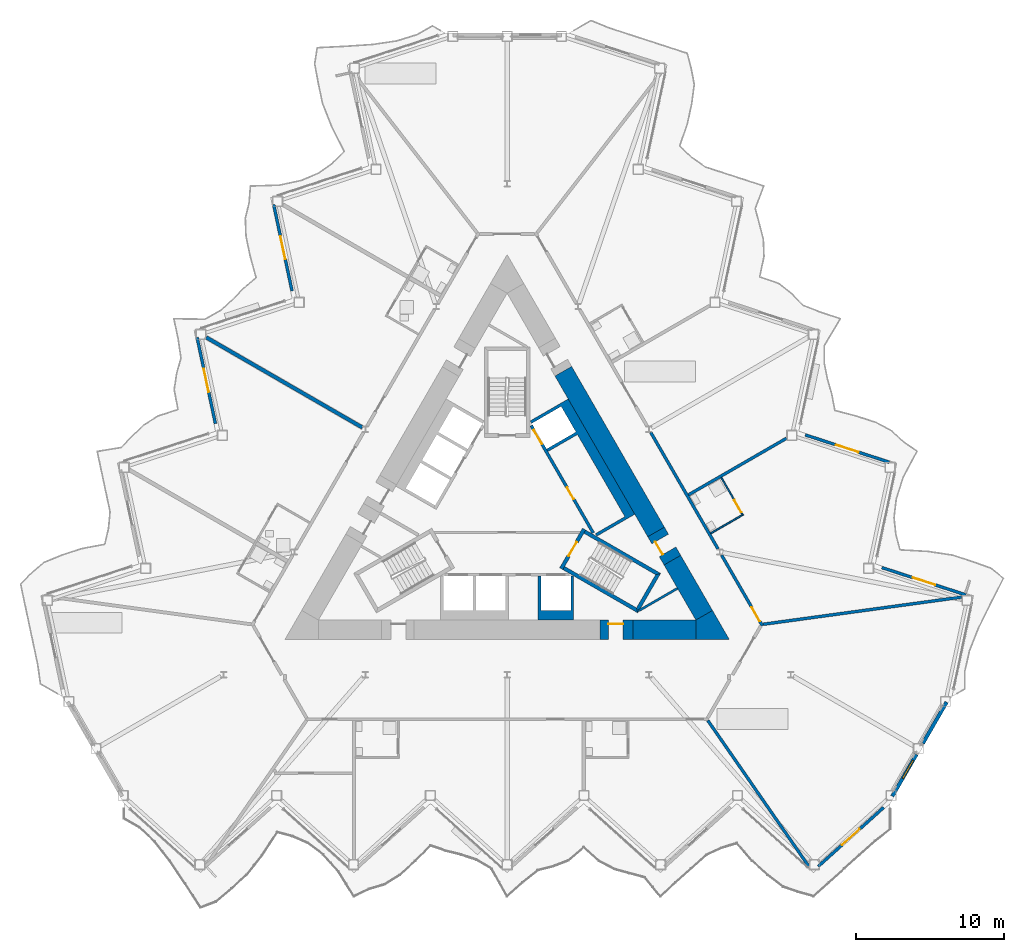
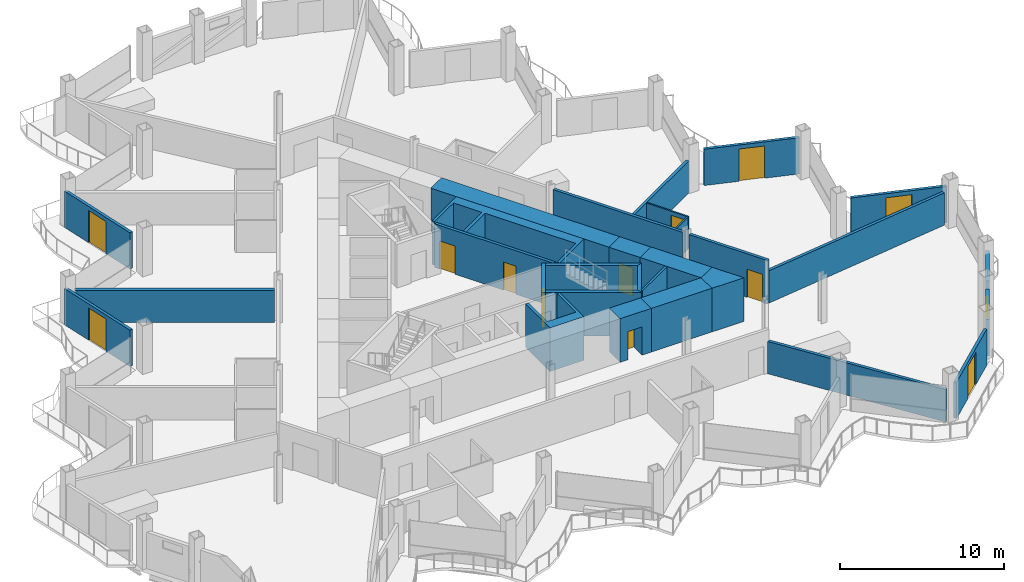
# One storey, part 13 of 23: 29 walls, 12 doors, 1 window, 13 openings.
"""IFC4 building model written with IfcOpenShell, lengths in metres."""

import ifcopenshell
import ifcopenshell.guid

model = None  # the IFC model being written
_history = None  # IfcOwnerHistory: only IFC2X3 demands one
_inside = {}  # id of a spatial element -> (the spatial element, [elements in it])
_under = {}  # id of a project, library or spatial element -> (it, [spatial elements below it])
_declared = {}  # id of a project -> (the project, [libraries it declares])
_typed = {}  # id of a type object -> (the type object, [elements of that type])
_made_of = {}  # id of a material, layer set ... -> (it, [elements and type objects made of it])


def new_model(schema):
    """Start an empty IFC model of exactly this schema.

    Asked for "IFC4X3", IfcOpenShell would pick the latest addendum, in which some entities
    have other attributes; the version numbers below select the first issue.
    IFC2X3 requires an IfcOwnerHistory on every rooted entity: one is made here for all.
    """
    global model, _history
    if schema == "IFC4X3":
        model = ifcopenshell.file(schema_version=(4, 3, 0, 0))
    else:
        model = ifcopenshell.file(schema=schema)
    _inside.clear()
    _under.clear()
    _declared.clear()
    _typed.clear()
    _made_of.clear()
    _history = None
    if model.schema == "IFC2X3":
        org = make("IfcOrganization", Name="unknown")
        user = make(
            "IfcPersonAndOrganization",
            ThePerson=make("IfcPerson", FamilyName="unknown"),
            TheOrganization=org,
        )
        app = make(
            "IfcApplication",
            ApplicationDeveloper=org,
            Version="unknown",
            ApplicationFullName="unknown",
            ApplicationIdentifier="unknown",
        )
        _history = make(
            "IfcOwnerHistory",
            OwningUser=user,
            OwningApplication=app,
            ChangeAction="ADDED",
            CreationDate=0,
        )
    return model


def make(cls, **values):
    """One entity of the class cls with the attributes given. An attribute that is None is left unset."""
    return model.create_entity(
        cls, **{name: value for name, value in values.items() if value is not None}
    )


def rooted(cls, **values):
    """An entity with a GlobalId (a new one), such as an element, a storey or a relation."""
    return make(cls, GlobalId=ifcopenshell.guid.new(), OwnerHistory=_history, **values)


def si_unit(unit_type, name, prefix=None):
    """IfcSIUnit, for example si_unit("LENGTHUNIT", "METRE", prefix="MILLI")."""
    return make("IfcSIUnit", UnitType=unit_type, Prefix=prefix, Name=name)


def assignment(units):
    """IfcUnitAssignment: the units of a project."""
    return None if units is None else make("IfcUnitAssignment", Units=units)


def point(xyz):
    """IfcCartesianPoint."""
    return None if xyz is None else make("IfcCartesianPoint", Coordinates=xyz)


def direction(xyz):
    """IfcDirection."""
    return None if xyz is None else make("IfcDirection", DirectionRatios=xyz)


def frame(location, z_axis=None, x_axis=None):
    """IfcAxis2Placement3D, a coordinate frame: its origin and axes. An axis left out is left unset."""
    return make(
        "IfcAxis2Placement3D",
        Location=point(location),
        Axis=direction(z_axis),
        RefDirection=direction(x_axis),
    )


def frame_2d(location, x_axis=None):
    """IfcAxis2Placement2D, a coordinate frame in the plane: its origin and x axis."""
    return make(
        "IfcAxis2Placement2D", Location=point(location), RefDirection=direction(x_axis)
    )


def origin():
    """The frame at (0, 0, 0) with its axes left unset."""
    return frame((0.0, 0.0, 0.0))


def place(relative_to, where):
    """IfcLocalPlacement: puts the frame where relative to a parent placement (None: the world)."""
    return make(
        "IfcLocalPlacement", PlacementRelTo=relative_to, RelativePlacement=where
    )


def context(
    kind, dimensions, precision=None, world=None, true_north=None, identifier=None
):
    """IfcGeometricRepresentationContext, for example the 3D "Model" context."""
    return make(
        "IfcGeometricRepresentationContext",
        ContextIdentifier=identifier,
        ContextType=kind,
        CoordinateSpaceDimension=dimensions,
        Precision=precision,
        WorldCoordinateSystem=world,
        TrueNorth=true_north,
    )


def subcontext(parent, identifier, kind, view, scale=None):
    """IfcGeometricRepresentationSubContext, for example "Body" below "Model"."""
    return make(
        "IfcGeometricRepresentationSubContext",
        ContextIdentifier=identifier,
        ContextType=kind,
        ParentContext=parent,
        TargetScale=scale,
        TargetView=view,
    )


def project(units=None, contexts=None):
    """IfcProject with its units and contexts."""
    return rooted(
        "IfcProject",
        Name="project",
        RepresentationContexts=contexts,
        UnitsInContext=assignment(units),
    )


def spatial(cls, under=None, at=None, **own):
    """A site, building, storey or space (cls), placed at a placement, below another one or the project."""
    s = rooted(cls, ObjectPlacement=at, **own)
    if under is not None:
        _under.setdefault(under.id(), (under, []))[1].append(s)
    return s


def polyline(points):
    """IfcPolyline through the points."""
    return make("IfcPolyline", Points=[point(p) for p in points])


def profile(cls, at=None, kind="AREA", **sizes):
    """A parametric profile (cls). Its sizes go by their IFC names, for example OverallWidth=200.0."""
    return make(cls, ProfileType=kind, Position=at, **sizes)


def rectangle(**sizes):
    """IfcRectangleProfileDef."""
    return profile("IfcRectangleProfileDef", **sizes)


def outline(outer, holes=None, kind="AREA"):
    """IfcArbitraryClosedProfileDef: a profile drawn as a closed curve; with holes, ...WithVoids."""
    if holes is None:
        return make("IfcArbitraryClosedProfileDef", ProfileType=kind, OuterCurve=outer)
    return make(
        "IfcArbitraryProfileDefWithVoids",
        ProfileType=kind,
        OuterCurve=outer,
        InnerCurves=holes,
    )


def extrude(swept, where, along, depth):
    """IfcExtrudedAreaSolid: the profile swept, set in the frame where, extruded along a direction by depth."""
    return make(
        "IfcExtrudedAreaSolid",
        SweptArea=swept,
        Position=where,
        ExtrudedDirection=direction(along),
        Depth=depth,
    )


def shape(context_of_items, identifier, shape_type, items):
    """IfcShapeRepresentation: the items that make up one representation, for example the "Body"."""
    return make(
        "IfcShapeRepresentation",
        ContextOfItems=context_of_items,
        RepresentationIdentifier=identifier,
        RepresentationType=shape_type,
        Items=items,
    )


def material(Name=None, Category=None):
    """IfcMaterial."""
    return make("IfcMaterial", Name=Name, Category=Category)


def layer(
    of_material, thickness, ventilated=None, Name=None, Category=None, Priority=None
):
    """IfcMaterialLayer: one layer of a wall or slab, of a material (None: an air gap)."""
    return make(
        "IfcMaterialLayer",
        Material=of_material,
        LayerThickness=thickness,
        IsVentilated=ventilated,
        Name=Name,
        Category=Category,
        Priority=Priority,
    )


def layer_set(layers, Name=None):
    """IfcMaterialLayerSet."""
    return make("IfcMaterialLayerSet", MaterialLayers=layers, LayerSetName=Name)


def made_of(thing, what):
    """Note that an element or type object is made of a material, layer set ...; save() writes the relation."""
    if what is not None:
        _made_of.setdefault(what.id(), (what, []))[1].append(thing)
    return thing


def type_object(cls, material=None, **own):
    """A type object (cls), such as IfcWallType, which elements share."""
    return made_of(rooted(cls, **own), material)


def element(
    cls,
    number,
    at=None,
    inside=None,
    cuts=None,
    type_object=None,
    material=None,
    context=None,
    identifier="Body",
    shape_type=None,
    held_by="IfcProductDefinitionShape",
    body=None,
    shapes=None,
    **own,
):
    """One element of the class cls, such as IfcWall. Its Tag is "e" and its number.

    at: its placement. inside: the storey or other place that contains it. cuts: it is an
    opening in that element (IfcRelVoidsElement). A single representation is given by context,
    identifier, shape_type and body (its items); several are given by shapes. held_by: the class
    of the entity that holds the representations. save() writes the other relations.
    """
    e = rooted(cls, Tag="e%d" % number, ObjectPlacement=at, **own)
    if body is not None:
        shapes = [shape(context, identifier, shape_type, body)]
    if shapes is not None:
        e.Representation = make(held_by, Representations=shapes)
    if inside is not None:
        _inside.setdefault(inside.id(), (inside, []))[1].append(e)
    if cuts is not None:
        rooted(
            "IfcRelVoidsElement", RelatingBuildingElement=cuts, RelatedOpeningElement=e
        )
    if type_object is not None:
        _typed.setdefault(type_object.id(), (type_object, []))[1].append(e)
    return made_of(e, material)


def fill(opening, filler):
    """IfcRelFillsElement: the door or window that sits in an opening."""
    return rooted(
        "IfcRelFillsElement",
        RelatingOpeningElement=opening,
        RelatedBuildingElement=filler,
    )


def aggregate(whole, parts):
    """IfcRelAggregates: a whole, such as a stair, and the parts it consists of."""
    return rooted("IfcRelAggregates", RelatingObject=whole, RelatedObjects=parts)


def save(model, path):
    """Write the relations noted so far, then the file.

    IfcRelAggregates (storeys below a building ...), IfcRelContainedInSpatialStructure (elements
    in a storey), IfcRelDefinesByType, IfcRelAssociatesMaterial and IfcRelDeclares: one each for
    every whole, place, type object, material and project.
    """
    for whole, parts in _under.values():
        aggregate(whole, parts)
    for where, things in _inside.values():
        rooted(
            "IfcRelContainedInSpatialStructure",
            RelatedElements=things,
            RelatingStructure=where,
        )
    for kind, things in _typed.values():
        rooted("IfcRelDefinesByType", RelatedObjects=things, RelatingType=kind)
    for what, things in _made_of.values():
        rooted("IfcRelAssociatesMaterial", RelatedObjects=things, RelatingMaterial=what)
    for by, libraries in _declared.values():
        rooted("IfcRelDeclares", RelatingContext=by, RelatedDefinitions=libraries)
    model.write(path)


model = new_model("IFC4")

# Units and contexts
model_context = context("Model", 3, precision=1e-05, world=origin(), true_north=direction((0.0, 1.0)))
body_context = subcontext(model_context, "Body", "Model", "MODEL_VIEW")
ifc_project = project(units=[si_unit("LENGTHUNIT", "METRE"), si_unit("AREAUNIT", "SQUARE_METRE"), si_unit("VOLUMEUNIT", "CUBIC_METRE"), si_unit("PLANEANGLEUNIT", "RADIAN"), si_unit("MASSUNIT", "GRAM", prefix="KILO")], contexts=[model_context])

# Site, building, storey
site_placement = place(None, origin())
site = spatial("IfcSite", under=ifc_project, at=site_placement, CompositionType="ELEMENT")
building_placement = place(site_placement, origin())
building = spatial("IfcBuilding", under=site, at=building_placement, Name="Cormorant Prow Tower", CompositionType="ELEMENT")
storey_placement = place(building_placement, frame((0.0, 0.0, 241.800048828125)))
storey = spatial("IfcBuildingStorey", under=building, at=storey_placement, Name="L53", CompositionType="ELEMENT", Elevation=241.800048828125)

# Walls
ifc_material_1 = material(Name="Gypsum board partition")
ifc_layer_1 = layer(ifc_material_1, 0.14990234375)
ifc_layer_set_1 = layer_set([ifc_layer_1], Name="Gypsum board partition")
wall_type_1 = type_object("IfcWallType", Name="Core partition 150", PredefinedType="PARTITIONING", material=ifc_layer_set_1)
wall_1_placement = place(storey_placement, frame((11.511474609375, -5.2177734375, 0.0), z_axis=(0.0, 0.0, 1.0), x_axis=(-0.866045649925, -0.499964931016, 0.0)))
element("IfcWall", 1, at=wall_1_placement, inside=storey, type_object=wall_type_1, Name="Service room partition", PredefinedType="PARTITIONING", context=body_context, shape_type="SweptSolid", body=[
    extrude(rectangle(XDim=2.992431640625, YDim=0.14990234375, at=frame_2d((1.49609375, 0.0))), origin(), (0.0, 0.0, 1.0), 3.25),
])
ifc_material_2 = material(Name="Concrete 8000 psi", Category="concrete")
ifc_layer_2 = layer(ifc_material_2, 1.300048828125)
ifc_layer_set_2 = layer_set([ifc_layer_2], Name="Concrete 8000 psi")
wall_type_2 = type_object("IfcWallType", Name="Core shear wall 1300", PredefinedType="SHEAR", material=ifc_layer_set_2)
wall_2_placement = place(storey_placement, frame((8.48828125, -8.01025390625, 0.0), z_axis=(0.0, 0.0, 1.0), x_axis=(1.0, 0.0, 0.0)))
element("IfcWall", 2, at=wall_2_placement, inside=storey, type_object=wall_type_2, Name="Core wall", PredefinedType="SHEAR", context=body_context, shape_type="SweptSolid", body=[
    extrude(rectangle(XDim=4.260009765625, YDim=1.300048828125, at=frame_2d((2.1298828125, 0.0))), origin(), (0.0, 0.0, 1.0), 3.25),
])
wall_3_placement = place(storey_placement, frame((10.0625, -1.408203125, 0.0), z_axis=(0.0, 0.0, 1.0), x_axis=(-0.500000545805, 0.866025088663, 0.0)))
element("IfcWall", 3, at=wall_3_placement, inside=storey, type_object=wall_type_2, Name="Core wall", PredefinedType="SHEAR", context=body_context, shape_type="SweptSolid", body=[
    extrude(rectangle(XDim=12.5390625, YDim=1.300048828125, at=frame_2d((6.26953125, 0.0))), origin(), (0.0, 0.0, 1.0), 3.25),
])
wall_4_placement = place(storey_placement, frame((13.311279296875, -7.035400390625, 0.0), z_axis=(0.0, 0.0, 1.0), x_axis=(-0.500012574659, 0.86601814368, 0.0)))
element("IfcWall", 4, at=wall_4_placement, inside=storey, type_object=wall_type_2, Name="Core wall", PredefinedType="SHEAR", context=body_context, shape_type="SweptSolid", body=[
    extrude(rectangle(XDim=4.2978515625, YDim=1.300048828125, at=frame_2d((2.14892578125, 0.0))), origin(), (0.0, 0.0, 1.0), 3.25),
])
wall_5_placement = place(storey_placement, origin())
element("IfcWall", 5, at=wall_5_placement, inside=storey, type_object=wall_type_2, Name="Core wall corner", PredefinedType="SHEAR", context=body_context, shape_type="SweptSolid", body=[
    extrude(outline(polyline([(12.748291015625, -8.660400390625), (12.748291015625, -7.3603515625), (13.874267578125, -6.710205078125), (15.0, -8.660400390625), (12.748291015625, -8.660400390625)])), origin(), (0.0, 0.0, 1.0), 3.25),
])

# Wall, opening, door
wall_6_placement = place(storey_placement, frame((6.2880859375, -8.01025390625, 0.0), z_axis=(0.0, 0.0, 1.0), x_axis=(1.0, 0.0, 0.0)))
wall_6 = element("IfcWall", 6, at=wall_6_placement, inside=storey, type_object=wall_type_2, Name="Core wall door panel", PredefinedType="SHEAR", context=body_context, shape_type="SweptSolid", body=[
    extrude(rectangle(XDim=2.2001953125, YDim=1.300048828125, at=frame_2d((1.10009765625, 0.0))), origin(), (0.0, 0.0, 1.0), 3.25),
])
opening_1_placement = place(wall_6_placement, frame((0.550048828125, 0.0, 0.0)))
opening_1 = element("IfcOpeningElement", 7, at=opening_1_placement, cuts=wall_6, Name="Opening L53-C13", PredefinedType="OPENING", context=body_context, shape_type="SweptSolid", body=[
    extrude(rectangle(XDim=1.0, YDim=2.10009765625, at=frame_2d((0.5, 1.050048828125))), frame((0.0, 0.659912109375, 0.0), z_axis=(0.0, -1.0, 0.0), x_axis=(1.0, 0.0, 0.0)), (0.0, 0.0, 1.0), 1.320068359375),
])
ifc_material_3 = material(Name="Painted steel", Category="steel")
door_type_1 = type_object("IfcDoorType", Name="Service door 1000x2100", OperationType="NOTDEFINED", PredefinedType="DOOR", material=ifc_material_3)
door_1_placement = place(opening_1_placement, origin())
door_1 = element("IfcDoor", 8, at=door_1_placement, inside=storey, type_object=door_type_1, Name="Core door, Telecom room", OperationType="SINGLE_SWING_RIGHT", OverallHeight=2.10009765625, OverallWidth=1.0, PredefinedType="DOOR", context=body_context, shape_type="SweptSolid", body=[
    extrude(rectangle(XDim=1.0, YDim=2.10009765625, at=frame_2d((0.5, 1.050048828125))), frame((0.0, 0.40478515625, 0.0), z_axis=(0.0, -1.0, 0.0), x_axis=(1.0, 0.0, 0.0)), (0.0, 0.0, 1.0), 0.050048828125),
])
fill(opening_1, door_1)

wall_7_placement = place(storey_placement, frame((11.16259765625, -3.3134765625, 0.0), z_axis=(0.0, 0.0, 1.0), x_axis=(-0.50002983664, 0.866008176907, 0.0)))
wall_7 = element("IfcWall", 9, at=wall_7_placement, inside=storey, type_object=wall_type_2, Name="Core wall door panel", PredefinedType="SHEAR", context=body_context, shape_type="SweptSolid", body=[
    extrude(rectangle(XDim=2.199951171875, YDim=1.300048828125, at=frame_2d((1.10009765625, 0.0))), origin(), (0.0, 0.0, 1.0), 3.25),
])
opening_2_placement = place(wall_7_placement, frame((0.64990234375, 0.0, 0.0)))
opening_2 = element("IfcOpeningElement", 10, at=opening_2_placement, cuts=wall_7, Name="Opening L53-C15", PredefinedType="OPENING", context=body_context, shape_type="SweptSolid", body=[
    extrude(rectangle(XDim=1.0, YDim=2.10009765625, at=frame_2d((0.5, 1.050048828125))), frame((0.0, 0.659912109375, 0.0), z_axis=(0.0, -1.0, 0.0), x_axis=(1.0, 0.0, 0.0)), (0.0, 0.0, 1.0), 1.320068359375),
])
door_2_placement = place(opening_2_placement, origin())
door_2 = element("IfcDoor", 11, at=door_2_placement, inside=storey, type_object=door_type_1, Name="Core door, Electrical room", OperationType="SINGLE_SWING_LEFT", OverallHeight=2.10009765625, OverallWidth=1.0, PredefinedType="DOOR", context=body_context, shape_type="SweptSolid", body=[
    extrude(rectangle(XDim=1.0, YDim=2.10009765625, at=frame_2d((0.5, 1.050048828125))), frame((0.0, 0.40478515625, 0.0), z_axis=(0.0, -1.0, 0.0), x_axis=(1.0, 0.0, 0.0)), (0.0, 0.0, 1.0), 0.050048828125),
])
fill(opening_2, door_2)

# Wall
ifc_material_4 = material(Name="Gypsum board corridor wall")
ifc_layer_3 = layer(ifc_material_4, 0.199951171875)
ifc_layer_set_3 = layer_set([ifc_layer_3], Name="Gypsum board corridor wall")
wall_type_3 = type_object("IfcWallType", Name="Corridor wall 200", PredefinedType="PARTITIONING", material=ifc_layer_set_3)
wall_8_placement = place(storey_placement, frame((9.699462890625, 5.320556640625, 0.0), z_axis=(0.0, 0.0, 1.0), x_axis=(0.49998193945, -0.866035830797, 0.0)))
element("IfcWall", 12, at=wall_8_placement, inside=storey, type_object=wall_type_3, Name="Corridor wall", PredefinedType="PARTITIONING", context=body_context, shape_type="SweptSolid", body=[
    extrude(rectangle(XDim=9.094482421875, YDim=0.199951171875, at=frame_2d((4.54736328125, 0.0))), origin(), (0.0, 0.0, 1.0), 3.25),
])

# Wall, opening, door
wall_9_placement = place(storey_placement, frame((14.488525390625, -2.974609375, 0.0), z_axis=(0.0, 0.0, 1.0), x_axis=(0.500017753321, -0.866015153657, 0.0)))
wall_9 = element("IfcWall", 13, at=wall_9_placement, inside=storey, type_object=wall_type_3, Name="Corridor wall", PredefinedType="PARTITIONING", context=body_context, shape_type="SweptSolid", body=[
    extrude(rectangle(XDim=5.510498046875, YDim=0.199951171875, at=frame_2d((2.75537109375, 0.0))), origin(), (0.0, 0.0, 1.0), 3.25),
])
opening_3_placement = place(wall_9_placement, frame((4.060302734375, 0.0, 0.0)))
opening_3 = element("IfcOpeningElement", 14, at=opening_3_placement, cuts=wall_9, Name="Opening L53-F08", PredefinedType="OPENING", context=body_context, shape_type="SweptSolid", body=[
    extrude(rectangle(XDim=1.10009765625, YDim=2.10009765625, at=frame_2d((0.550048828125, 1.050048828125))), frame((0.0, 0.10986328125, 0.0), z_axis=(0.0, -1.0, 0.0), x_axis=(1.0, 0.0, 0.0)), (0.0, 0.0, 1.0), 0.219970703125),
])
ifc_material_5 = material(Name="Timber door leaf", Category="wood")
door_type_2 = type_object("IfcDoorType", Name="Suite entrance door 1100x2100", OperationType="NOTDEFINED", PredefinedType="DOOR", material=ifc_material_5)
door_3_placement = place(opening_3_placement, origin())
door_3 = element("IfcDoor", 15, at=door_3_placement, inside=storey, type_object=door_type_2, Name="Executive suite bedroom door", OperationType="SINGLE_SWING_RIGHT", OverallHeight=2.10009765625, OverallWidth=1.10009765625, PredefinedType="DOOR", context=body_context, shape_type="SweptSolid", body=[
    extrude(rectangle(XDim=1.10009765625, YDim=2.10009765625, at=frame_2d((0.550048828125, 1.050048828125))), frame((0.0, 0.02490234375, 0.0), z_axis=(0.0, -1.0, 0.0), x_axis=(1.0, 0.0, 0.0)), (0.0, 0.0, 1.0), 0.050048828125),
])
fill(opening_3, door_3)

# Walls
ifc_material_6 = material(Name="Gypsum board demising wall")
ifc_layer_4 = layer(ifc_material_6, 0.199951171875)
ifc_layer_set_4 = layer_set([ifc_layer_4], Name="Gypsum board demising wall")
wall_type_4 = type_object("IfcWallType", Name="Demising wall 200", PredefinedType="PARTITIONING", material=ifc_layer_set_4)
wall_10_placement = place(storey_placement, frame((17.29296875, -7.646484375, 0.0), z_axis=(0.0, 0.0, 1.0), x_axis=(0.99075075074, 0.135694325259, 0.0)))
element("IfcWall", 16, at=wall_10_placement, inside=storey, type_object=wall_type_4, Name="Demising wall", PredefinedType="PARTITIONING", context=body_context, shape_type="SweptSolid", body=[
    extrude(rectangle(XDim=13.535400390625, YDim=0.199951171875, at=frame_2d((6.767578125, 0.0))), origin(), (0.0, 0.0, 1.0), 2.404052734375),
])
wall_11_placement = place(storey_placement, frame((13.5556640625, -14.142578125, 0.0), z_axis=(0.0, 0.0, 1.0), x_axis=(0.56913494803, -0.82224413098, 0.0)))
element("IfcWall", 17, at=wall_11_placement, inside=storey, type_object=wall_type_4, Name="Demising wall", PredefinedType="PARTITIONING", context=body_context, shape_type="SweptSolid", body=[
    extrude(rectangle(XDim=12.013671875, YDim=0.199951171875, at=frame_2d((6.0068359375, 0.0))), origin(), (0.0, 0.0, 1.0), 2.404052734375),
])
wall_12_placement = place(storey_placement, frame((12.2529296875, 1.097900390625, 0.0), z_axis=(0.0, 0.0, 1.0), x_axis=(0.866026077102, 0.499998833779, 0.0)))
element("IfcWall", 18, at=wall_12_placement, inside=storey, type_object=wall_type_4, Name="Demising wall", PredefinedType="PARTITIONING", context=body_context, shape_type="SweptSolid", body=[
    extrude(rectangle(XDim=7.646484375, YDim=0.199951171875, at=frame_2d((3.8232421875, 0.0))), origin(), (0.0, 0.0, 1.0), 2.404052734375),
])

# Wall, opening, door
ifc_material_7 = material(Name="Gypsum board partition")
ifc_layer_5 = layer(ifc_material_7, 0.10009765625)
ifc_layer_set_5 = layer_set([ifc_layer_5], Name="Gypsum board partition")
wall_type_5 = type_object("IfcWallType", Name="Internal partition 100", PredefinedType="PARTITIONING", material=ifc_layer_set_5)
wall_13_placement = place(storey_placement, frame((14.468017578125, 2.26123046875, 0.0), z_axis=(0.0, 0.0, 1.0), x_axis=(0.500037662692, -0.866003658127, 0.0)))
wall_13 = element("IfcWall", 19, at=wall_13_placement, inside=storey, type_object=wall_type_5, Name="Internal partition", PredefinedType="PARTITIONING", context=body_context, shape_type="SweptSolid", body=[
    extrude(rectangle(XDim=2.949951171875, YDim=0.10009765625, at=frame_2d((1.47509765625, 0.0))), origin(), (0.0, 0.0, 1.0), 2.404052734375),
])
opening_4_placement = place(wall_13_placement, frame((1.75, 0.0, 0.0)))
opening_4 = element("IfcOpeningElement", 20, at=opening_4_placement, cuts=wall_13, Name="Opening L53-F09", PredefinedType="OPENING", context=body_context, shape_type="SweptSolid", body=[
    extrude(rectangle(XDim=0.949951171875, YDim=2.10009765625, at=frame_2d((0.47509765625, 1.050048828125))), frame((0.0, 0.06005859375, 0.0), z_axis=(0.0, -1.0, 0.0), x_axis=(1.0, 0.0, 0.0)), (0.0, 0.0, 1.0), 0.1201171875),
])
ifc_material_8 = material(Name="Timber door leaf", Category="wood")
door_type_3 = type_object("IfcDoorType", Name="Bathroom door 950x2100", OperationType="NOTDEFINED", PredefinedType="DOOR", material=ifc_material_8)
door_4_placement = place(opening_4_placement, origin())
door_4 = element("IfcDoor", 21, at=door_4_placement, inside=storey, type_object=door_type_3, Name="Executive suite bedroom door", OperationType="SINGLE_SWING_RIGHT", OverallHeight=2.10009765625, OverallWidth=0.949951171875, PredefinedType="DOOR", context=body_context, shape_type="SweptSolid", body=[
    extrude(rectangle(XDim=0.949951171875, YDim=2.10009765625, at=frame_2d((0.47509765625, 1.050048828125))), frame((0.0, 0.02490234375, 0.0), z_axis=(0.0, -1.0, 0.0), x_axis=(1.0, 0.0, 0.0)), (0.0, 0.0, 1.0), 0.050048828125),
])
fill(opening_4, door_4)

# Wall
wall_14_placement = place(storey_placement, frame((13.7529296875, -1.500244140625, 0.0), z_axis=(0.0, 0.0, 1.0), x_axis=(0.866014668023, 0.500018594424, 0.0)))
element("IfcWall", 22, at=wall_14_placement, inside=storey, type_object=wall_type_5, Name="Internal partition", PredefinedType="PARTITIONING", context=body_context, shape_type="SweptSolid", body=[
    extrude(rectangle(XDim=2.4501953125, YDim=0.10009765625, at=frame_2d((1.22509765625, 0.0))), origin(), (0.0, 0.0, 1.0), 2.404052734375),
])

# Wall, openings, doors
ifc_material_9 = material(Name="Concrete 5000 psi", Category="concrete")
ifc_layer_6 = layer(ifc_material_9, 0.199951171875)
ifc_layer_set_6 = layer_set([ifc_layer_6], Name="Concrete 5000 psi")
wall_type_6 = type_object("IfcWallType", Name="Lift lobby wall 200", PredefinedType="SOLIDWALL", material=ifc_layer_set_6)
wall_15_placement = place(storey_placement, frame((5.817138671875, -1.4755859375, 0.0), z_axis=(0.0, 0.0, 1.0), x_axis=(-0.500002616675, 0.866023893041, 0.0)))
wall_15 = element("IfcWall", 23, at=wall_15_placement, inside=storey, type_object=wall_type_6, Name="Lift lobby wall, ENE block", PredefinedType="SOLIDWALL", context=body_context, shape_type="SweptSolid", body=[
    extrude(rectangle(XDim=8.373046875, YDim=0.199951171875, at=frame_2d((4.1865234375, 0.0))), origin(), (0.0, 0.0, 1.0), 3.25),
])
opening_5_placement = place(wall_15_placement, frame((2.63671875, 0.0, 0.0)))
opening_5 = element("IfcOpeningElement", 24, at=opening_5_placement, cuts=wall_15, Name="Opening L53-C05", PredefinedType="OPENING", context=body_context, shape_type="SweptSolid", body=[
    extrude(rectangle(XDim=0.89990234375, YDim=2.10009765625, at=frame_2d((0.449951171875, 1.050048828125))), frame((0.0, 0.10986328125, 0.0), z_axis=(0.0, -1.0, 0.0), x_axis=(1.0, 0.0, 0.0)), (0.0, 0.0, 1.0), 0.219970703125),
])
opening_6_placement = place(wall_15_placement, frame((6.9365234375, 0.0, 0.0)))
opening_6 = element("IfcOpeningElement", 25, at=opening_6_placement, cuts=wall_15, Name="Opening L53-C06", PredefinedType="OPENING", context=body_context, shape_type="SweptSolid", body=[
    extrude(rectangle(XDim=1.10009765625, YDim=2.10009765625, at=frame_2d((0.550048828125, 1.050048828125))), frame((0.0, 0.10986328125, 0.0), z_axis=(0.0, -1.0, 0.0), x_axis=(1.0, 0.0, 0.0)), (0.0, 0.0, 1.0), 0.219970703125),
])
ifc_material_10 = material(Name="Painted steel", Category="steel")
door_type_4 = type_object("IfcDoorType", Name="Lift landing door 1100x2100", OperationType="SLIDING_TO_LEFT", PredefinedType="DOOR", material=ifc_material_10)
door_5_placement = place(opening_6_placement, origin())
door_5 = element("IfcDoor", 26, at=door_5_placement, inside=storey, type_object=door_type_4, Name="Landing door MR1", OperationType="SLIDING_TO_LEFT", OverallHeight=2.10009765625, OverallWidth=1.10009765625, PredefinedType="DOOR", context=body_context, shape_type="SweptSolid", body=[
    extrude(rectangle(XDim=1.10009765625, YDim=2.10009765625, at=frame_2d((0.550048828125, 1.050048828125))), frame((0.0, 0.02490234375, 0.0), z_axis=(0.0, -1.0, 0.0), x_axis=(1.0, 0.0, 0.0)), (0.0, 0.0, 1.0), 0.050048828125),
])
fill(opening_6, door_5)
ifc_material_11 = material(Name="Painted steel", Category="steel")
door_type_5 = type_object("IfcDoorType", Name="Service door 900x2100", OperationType="NOTDEFINED", PredefinedType="DOOR", material=ifc_material_11)
door_6_placement = place(opening_5_placement, origin())
door_6 = element("IfcDoor", 27, at=door_6_placement, inside=storey, type_object=door_type_5, Name="Service door, Housekeeping store", OperationType="SINGLE_SWING_RIGHT", OverallHeight=2.10009765625, OverallWidth=0.89990234375, PredefinedType="DOOR", context=body_context, shape_type="SweptSolid", body=[
    extrude(rectangle(XDim=0.89990234375, YDim=2.10009765625, at=frame_2d((0.449951171875, 1.050048828125))), frame((0.0, 0.02490234375, 0.0), z_axis=(0.0, -1.0, 0.0), x_axis=(1.0, 0.0, 0.0)), (0.0, 0.0, 1.0), 0.050048828125),
])
fill(opening_5, door_6)

# Walls
ifc_material_12 = material(Name="Concrete 8000 psi", Category="concrete")
ifc_layer_7 = layer(ifc_material_12, 0.199951171875)
ifc_layer_set_7 = layer_set([ifc_layer_7], Name="Concrete 8000 psi")
wall_type_7 = type_object("IfcWallType", Name="Lift shaft wall 200", PredefinedType="SHEAR", material=ifc_layer_set_7)
wall_16_placement = place(storey_placement, origin())
element("IfcWall", 28, at=wall_16_placement, inside=storey, type_object=wall_type_7, Name="Lift shaft walls, S block", PredefinedType="SHEAR", context=body_context, shape_type="SweptSolid", body=[
    extrude(outline(polyline([(2.10009765625, -7.3603515625), (2.10009765625, -4.39990234375), (2.300048828125, -4.39990234375), (2.300048828125, -6.699951171875), (4.300048828125, -6.699951171875), (4.300048828125, -4.39990234375), (4.5, -4.39990234375), (4.5, -7.3603515625), (2.10009765625, -7.3603515625)])), origin(), (0.0, 0.0, 1.0), 3.25),
])
wall_17_placement = place(storey_placement, origin())
element("IfcWall", 29, at=wall_17_placement, inside=storey, type_object=wall_type_7, Name="Lift shaft walls, ENE block", PredefinedType="SHEAR", context=body_context, shape_type="SweptSolid", body=[
    extrude(outline(polyline([(4.124267578125, 7.5771484375), (8.624267578125, -0.217041015625), (8.230712890625, -0.444091796875), (6.060546875, -1.697021484375), (5.96044921875, -1.52392578125), (7.952392578125, -0.373779296875), (4.75244140625, 5.168701171875), (2.760498046875, 4.018798828125), (2.660400390625, 4.19189453125), (4.65234375, 5.341796875), (3.65234375, 7.073974609375), (1.660400390625, 5.923828125), (1.560546875, 6.09716796875), (3.730712890625, 7.35009765625), (4.124267578125, 7.5771484375)])), origin(), (0.0, 0.0, 1.0), 3.25),
])
ifc_material_13 = material(Name="Concrete 8000 psi", Category="concrete")
ifc_layer_8 = layer(ifc_material_13, 0.25)
ifc_layer_set_8 = layer_set([ifc_layer_8], Name="Concrete 8000 psi")
wall_type_8 = type_object("IfcWallType", Name="Stair wall 250", PredefinedType="SHEAR", material=ifc_layer_set_8)
wall_18_placement = place(storey_placement, origin())
element("IfcWall", 30, at=wall_18_placement, inside=storey, type_object=wall_type_8, Name="Stair ST2 enclosure wall (flank)", PredefinedType="SHEAR", context=body_context, shape_type="SweptSolid", body=[
    extrude(outline(polyline([(3.76318359375, -3.95556640625), (8.82958984375, -6.880615234375), (8.738037109375, -6.5390625), (3.88818359375, -3.739013671875), (3.76318359375, -3.95556640625)])), origin(), (0.0, 0.0, 1.0), 3.25),
])
wall_19_placement = place(storey_placement, origin())
element("IfcWall", 31, at=wall_19_placement, inside=storey, type_object=wall_type_8, Name="Stair ST2 enclosure wall (end)", PredefinedType="SHEAR", context=body_context, shape_type="SweptSolid", body=[
    extrude(outline(polyline([(8.82958984375, -6.880615234375), (10.37353515625, -4.206298828125), (10.031982421875, -4.2978515625), (8.738037109375, -6.5390625), (8.82958984375, -6.880615234375)])), origin(), (0.0, 0.0, 1.0), 3.25),
])
wall_20_placement = place(storey_placement, origin())
element("IfcWall", 32, at=wall_20_placement, inside=storey, type_object=wall_type_8, Name="Stair ST2 enclosure wall (flank)", PredefinedType="SHEAR", context=body_context, shape_type="SweptSolid", body=[
    extrude(outline(polyline([(10.031982421875, -4.2978515625), (10.37353515625, -4.206298828125), (5.30712890625, -1.28125), (5.18212890625, -1.497802734375), (10.031982421875, -4.2978515625)])), origin(), (0.0, 0.0, 1.0), 3.25),
])

# Wall, opening, door
wall_21_placement = place(storey_placement, frame((3.655029296875, -3.89306640625, 0.0), z_axis=(0.0, 0.0, 1.0), x_axis=(0.499982516597, 0.866035497597, 0.0)))
wall_21 = element("IfcWall", 33, at=wall_21_placement, inside=storey, type_object=wall_type_8, Name="Stair ST2 door wall", PredefinedType="SHEAR", context=body_context, shape_type="SweptSolid", body=[
    extrude(rectangle(XDim=3.087890625, YDim=0.25, at=frame_2d((1.5439453125, 0.0))), origin(), (0.0, 0.0, 1.0), 3.25),
])
opening_7_placement = place(wall_21_placement, frame((0.993896484375, 0.0, 0.0)))
opening_7 = element("IfcOpeningElement", 34, at=opening_7_placement, cuts=wall_21, Name="Opening L53-C11", PredefinedType="OPENING", context=body_context, shape_type="SweptSolid", body=[
    extrude(rectangle(XDim=1.10009765625, YDim=2.10009765625, at=frame_2d((0.550048828125, 1.050048828125))), frame((0.0, 0.135009765625, 0.0), z_axis=(0.0, -1.0, 0.0), x_axis=(1.0, 0.0, 0.0)), (0.0, 0.0, 1.0), 0.27001953125),
])
ifc_material_14 = material(Name="Painted steel", Category="steel")
door_type_6 = type_object("IfcDoorType", Name="Stair door 1100x2100", OperationType="NOTDEFINED", PredefinedType="DOOR", material=ifc_material_14)
door_7_placement = place(opening_7_placement, origin())
door_7 = element("IfcDoor", 35, at=door_7_placement, inside=storey, type_object=door_type_6, Name="Stair ST2 door", OperationType="SINGLE_SWING_RIGHT", OverallHeight=2.10009765625, OverallWidth=1.10009765625, PredefinedType="DOOR", context=body_context, shape_type="SweptSolid", body=[
    extrude(rectangle(XDim=1.10009765625, YDim=2.10009765625, at=frame_2d((0.550048828125, 1.050048828125))), frame((0.0, 0.02490234375, 0.0), z_axis=(0.0, -1.0, 0.0), x_axis=(1.0, 0.0, 0.0)), (0.0, 0.0, 1.0), 0.050048828125),
])
fill(opening_7, door_7)

# Wall
ifc_material_15 = material(Name="Acoustic gypsum party wall")
ifc_layer_9 = layer(ifc_material_15, 0.25)
ifc_layer_set_9 = layer_set([ifc_layer_9], Name="Acoustic gypsum party wall")
wall_type_9 = type_object("IfcWallType", Name="Suite party wall 250", PredefinedType="PARTITIONING", material=ifc_layer_set_9)
wall_22_placement = place(storey_placement, frame((-20.32666015625, 11.735595703125, 0.0), z_axis=(0.0, 0.0, 1.0), x_axis=(0.866024549986, -0.50000147882, 0.0)))
element("IfcWall", 36, at=wall_22_placement, inside=storey, type_object=wall_type_9, Name="Suite party wall", PredefinedType="PARTITIONING", context=body_context, shape_type="SweptSolid", body=[
    extrude(rectangle(XDim=12.1689453125, YDim=0.25, at=frame_2d((6.08447265625, 0.0))), origin(), (0.0, 0.0, 1.0), 2.404052734375),
])

# Wall, opening, window
ifc_material_16 = material(Name="Terracotta", Category="masonry")
ifc_layer_10 = layer(ifc_material_16, 0.25)
ifc_layer_set_10 = layer_set([ifc_layer_10], Name="Terracotta")
wall_type_10 = type_object("IfcWallType", Name="Terracotta bay wall 250", PredefinedType="SOLIDWALL", material=ifc_layer_set_10)
wall_23_placement = place(storey_placement, frame((26.020751953125, -19.26171875, 0.0), z_axis=(0.0, 0.0, 1.0), x_axis=(0.500026945261, 0.866009846372, 0.0)))
wall_23 = element("IfcWall", 37, at=wall_23_placement, inside=storey, type_object=wall_type_10, Name="Terracotta bay wall ESE00", PredefinedType="SOLIDWALL", context=body_context, shape_type="SweptSolid", body=[
    extrude(rectangle(XDim=3.261962890625, YDim=0.25, at=frame_2d((1.630859375, 0.0))), origin(), (0.0, 0.0, 1.0), 2.700927734375),
])
opening_8_placement = place(wall_23_placement, frame((1.39990234375, 0.0, 1.89990234375)))
opening_8 = element("IfcOpeningElement", 38, at=opening_8_placement, cuts=wall_23, Name="Opening WN6", PredefinedType="OPENING", context=body_context, shape_type="SweptSolid", body=[
    extrude(rectangle(XDim=1.39990234375, YDim=0.60009765625, at=frame_2d((0.699951171875, 0.300048828125))), frame((0.0, 0.135009765625, 0.0), z_axis=(0.0, -1.0, 0.0), x_axis=(1.0, 0.0, 0.0)), (0.0, 0.0, 1.0), 0.27001953125),
])
ifc_material_17 = material(Name="Aluminium 6063-T6", Category="aluminium")
window_type = type_object("IfcWindowType", Name="Corner bay window 1400x600", PartitioningType="SINGLE_PANEL", PredefinedType="WINDOW", material=ifc_material_17)
window_placement = place(opening_8_placement, origin())
window = element("IfcWindow", 39, at=window_placement, inside=storey, type_object=window_type, Name="Corner bay window ESE00", OverallHeight=0.60009765625, OverallWidth=1.39990234375, PartitioningType="SINGLE_PANEL", PredefinedType="WINDOW", context=body_context, shape_type="SweptSolid", body=[
    extrude(rectangle(XDim=1.39990234375, YDim=0.60009765625, at=frame_2d((0.699951171875, 0.300048828125))), frame((0.0, 0.030029296875, 0.0), z_axis=(0.0, -1.0, 0.0), x_axis=(1.0, 0.0, 0.0)), (0.0, 0.0, 1.0), 0.06005859375),
])
fill(opening_8, window)

# Wall
wall_24_placement = place(storey_placement, frame((28.0849609375, -15.686767578125, 0.0), z_axis=(0.0, 0.0, 1.0), x_axis=(0.499987708133, 0.866032500381, 0.0)))
element("IfcWall", 40, at=wall_24_placement, inside=storey, type_object=wall_type_10, Name="Terracotta bay wall ESE01", PredefinedType="SOLIDWALL", context=body_context, shape_type="SweptSolid", body=[
    extrude(rectangle(XDim=3.21337890625, YDim=0.25, at=frame_2d((1.606689453125, 0.0))), origin(), (0.0, 0.0, 1.0), 2.700927734375),
])

# Wall, opening, door
ifc_material_18 = material(Name="Terracotta", Category="masonry")
ifc_layer_11 = layer(ifc_material_18, 0.199951171875)
ifc_layer_set_11 = layer_set([ifc_layer_11], Name="Terracotta")
wall_type_11 = type_object("IfcWallType", Name="Terracotta jamb wall 200", PredefinedType="SOLIDWALL", material=ifc_layer_set_11)
wall_25_placement = place(storey_placement, frame((21.00830078125, -24.0087890625, 0.0), z_axis=(0.0, 0.0, 1.0), x_axis=(0.743133280699, 0.669143427912, 0.0)))
wall_25 = element("IfcWall", 41, at=wall_25_placement, inside=storey, type_object=wall_type_11, Name="Terracotta jamb wall S09", PredefinedType="SOLIDWALL", context=body_context, shape_type="SweptSolid", body=[
    extrude(rectangle(XDim=5.96240234375, YDim=0.199951171875, at=frame_2d((2.981201171875, 0.0))), origin(), (0.0, 0.0, 1.0), 2.700927734375),
])
opening_9_placement = place(wall_25_placement, frame((2.181396484375, 0.0, 0.0)))
opening_9 = element("IfcOpeningElement", 42, at=opening_9_placement, cuts=wall_25, Name="Opening ED53.05", PredefinedType="OPENING", context=body_context, shape_type="SweptSolid", body=[
    extrude(rectangle(XDim=1.60009765625, YDim=2.39990234375, at=frame_2d((0.800048828125, 1.199951171875))), frame((0.0, 0.10986328125, 0.0), z_axis=(0.0, -1.0, 0.0), x_axis=(1.0, 0.0, 0.0)), (0.0, 0.0, 1.0), 0.219970703125),
])
ifc_material_19 = material(Name="Aluminium 6063-T6", Category="aluminium")
door_type_7 = type_object("IfcDoorType", Name="Balcony door 1600x2400", OperationType="DOUBLE_DOOR_SINGLE_SWING", PredefinedType="DOOR", material=ifc_material_19)
door_8_placement = place(opening_9_placement, origin())
door_8 = element("IfcDoor", 43, at=door_8_placement, inside=storey, type_object=door_type_7, Name="Balcony door S09 ED53.05", OperationType="DOUBLE_DOOR_SINGLE_SWING", OverallHeight=2.39990234375, OverallWidth=1.60009765625, PredefinedType="DOOR", context=body_context, shape_type="SweptSolid", body=[
    extrude(rectangle(XDim=1.60009765625, YDim=2.39990234375, at=frame_2d((0.800048828125, 1.199951171875))), frame((0.0, 0.02490234375, 0.0), z_axis=(0.0, -1.0, 0.0), x_axis=(1.0, 0.0, 0.0)), (0.0, 0.0, 1.0), 0.050048828125),
])
fill(opening_9, door_8)

wall_26_placement = place(storey_placement, frame((30.990966796875, -5.66015625, 0.0), z_axis=(0.0, 0.0, 1.0), x_axis=(-0.951055430656, 0.309020335608, 0.0)))
wall_26 = element("IfcWall", 44, at=wall_26_placement, inside=storey, type_object=wall_type_11, Name="Terracotta jamb wall ENE01", PredefinedType="SOLIDWALL", context=body_context, shape_type="SweptSolid", body=[
    extrude(rectangle(XDim=5.96240234375, YDim=0.199951171875, at=frame_2d((2.981201171875, 0.0))), origin(), (0.0, 0.0, 1.0), 2.700927734375),
])
opening_10_placement = place(wall_26_placement, frame((2.181396484375, 0.0, 0.0)))
opening_10 = element("IfcOpeningElement", 45, at=opening_10_placement, cuts=wall_26, Name="Opening ED53.06", PredefinedType="OPENING", context=body_context, shape_type="SweptSolid", body=[
    extrude(rectangle(XDim=1.60009765625, YDim=2.39990234375, at=frame_2d((0.800048828125, 1.199951171875))), frame((0.0, 0.10986328125, 0.0), z_axis=(0.0, -1.0, 0.0), x_axis=(1.0, 0.0, 0.0)), (0.0, 0.0, 1.0), 0.219970703125),
])
door_9_placement = place(opening_10_placement, origin())
door_9 = element("IfcDoor", 46, at=door_9_placement, inside=storey, type_object=door_type_7, Name="Balcony door ENE01 ED53.06", OperationType="DOUBLE_DOOR_SINGLE_SWING", OverallHeight=2.39990234375, OverallWidth=1.60009765625, PredefinedType="DOOR", context=body_context, shape_type="SweptSolid", body=[
    extrude(rectangle(XDim=1.60009765625, YDim=2.39990234375, at=frame_2d((0.800048828125, 1.199951171875))), frame((0.0, 0.02490234375, 0.0), z_axis=(0.0, -1.0, 0.0), x_axis=(1.0, 0.0, 0.0)), (0.0, 0.0, 1.0), 0.050048828125),
])
fill(opening_10, door_9)

wall_27_placement = place(storey_placement, frame((25.815185546875, 3.304443359375, 0.0), z_axis=(0.0, 0.0, 1.0), x_axis=(-0.951055430656, 0.309020335608, 0.0)))
wall_27 = element("IfcWall", 47, at=wall_27_placement, inside=storey, type_object=wall_type_11, Name="Terracotta jamb wall ENE03", PredefinedType="SOLIDWALL", context=body_context, shape_type="SweptSolid", body=[
    extrude(rectangle(XDim=5.96240234375, YDim=0.199951171875, at=frame_2d((2.981201171875, 0.0))), origin(), (0.0, 0.0, 1.0), 2.700927734375),
])
opening_11_placement = place(wall_27_placement, frame((2.181396484375, 0.0, 0.0)))
opening_11 = element("IfcOpeningElement", 48, at=opening_11_placement, cuts=wall_27, Name="Opening ED53.07", PredefinedType="OPENING", context=body_context, shape_type="SweptSolid", body=[
    extrude(rectangle(XDim=1.60009765625, YDim=2.39990234375, at=frame_2d((0.800048828125, 1.199951171875))), frame((0.0, 0.10986328125, 0.0), z_axis=(0.0, -1.0, 0.0), x_axis=(1.0, 0.0, 0.0)), (0.0, 0.0, 1.0), 0.219970703125),
])
door_10_placement = place(opening_11_placement, origin())
door_10 = element("IfcDoor", 49, at=door_10_placement, inside=storey, type_object=door_type_7, Name="Balcony door ENE03 ED53.07", OperationType="DOUBLE_DOOR_SINGLE_SWING", OverallHeight=2.39990234375, OverallWidth=1.60009765625, PredefinedType="DOOR", context=body_context, shape_type="SweptSolid", body=[
    extrude(rectangle(XDim=1.60009765625, YDim=2.39990234375, at=frame_2d((0.800048828125, 1.199951171875))), frame((0.0, 0.02490234375, 0.0), z_axis=(0.0, -1.0, 0.0), x_axis=(1.0, 0.0, 0.0)), (0.0, 0.0, 1.0), 0.050048828125),
])
fill(opening_11, door_10)

wall_28_placement = place(storey_placement, frame((-15.769287109375, 20.70458984375, 0.0), z_axis=(0.0, 0.0, 1.0), x_axis=(0.207920947907, -0.978145633033, 0.0)))
wall_28 = element("IfcWall", 50, at=wall_28_placement, inside=storey, type_object=wall_type_11, Name="Terracotta jamb wall WNW03", PredefinedType="SOLIDWALL", context=body_context, shape_type="SweptSolid", body=[
    extrude(rectangle(XDim=5.962646484375, YDim=0.199951171875, at=frame_2d((2.9814453125, 0.0))), origin(), (0.0, 0.0, 1.0), 2.700927734375),
])
opening_12_placement = place(wall_28_placement, frame((2.181396484375, 0.0, 0.0)))
opening_12 = element("IfcOpeningElement", 51, at=opening_12_placement, cuts=wall_28, Name="Opening ED53.12", PredefinedType="OPENING", context=body_context, shape_type="SweptSolid", body=[
    extrude(rectangle(XDim=1.60009765625, YDim=2.39990234375, at=frame_2d((0.800048828125, 1.199951171875))), frame((0.0, 0.10986328125, 0.0), z_axis=(0.0, -1.0, 0.0), x_axis=(1.0, 0.0, 0.0)), (0.0, 0.0, 1.0), 0.219970703125),
])
door_11_placement = place(opening_12_placement, origin())
door_11 = element("IfcDoor", 52, at=door_11_placement, inside=storey, type_object=door_type_7, Name="Balcony door WNW03 ED53.12", OperationType="DOUBLE_DOOR_SINGLE_SWING", OverallHeight=2.39990234375, OverallWidth=1.60009765625, PredefinedType="DOOR", context=body_context, shape_type="SweptSolid", body=[
    extrude(rectangle(XDim=1.60009765625, YDim=2.39990234375, at=frame_2d((0.800048828125, 1.199951171875))), frame((0.0, 0.02490234375, 0.0), z_axis=(0.0, -1.0, 0.0), x_axis=(1.0, 0.0, 0.0)), (0.0, 0.0, 1.0), 0.050048828125),
])
fill(opening_12, door_11)

wall_29_placement = place(storey_placement, frame((-20.945068359375, 11.739990234375, 0.0), z_axis=(0.0, 0.0, 1.0), x_axis=(0.207920947907, -0.978145633033, 0.0)))
wall_29 = element("IfcWall", 53, at=wall_29_placement, inside=storey, type_object=wall_type_11, Name="Terracotta jamb wall WNW05", PredefinedType="SOLIDWALL", context=body_context, shape_type="SweptSolid", body=[
    extrude(rectangle(XDim=5.962646484375, YDim=0.199951171875, at=frame_2d((2.9814453125, 0.0))), origin(), (0.0, 0.0, 1.0), 2.700927734375),
])
opening_13_placement = place(wall_29_placement, frame((2.181396484375, 0.0, 0.0)))
opening_13 = element("IfcOpeningElement", 54, at=opening_13_placement, cuts=wall_29, Name="Opening ED53.13", PredefinedType="OPENING", context=body_context, shape_type="SweptSolid", body=[
    extrude(rectangle(XDim=1.60009765625, YDim=2.39990234375, at=frame_2d((0.800048828125, 1.199951171875))), frame((0.0, 0.10986328125, 0.0), z_axis=(0.0, -1.0, 0.0), x_axis=(1.0, 0.0, 0.0)), (0.0, 0.0, 1.0), 0.219970703125),
])
door_12_placement = place(opening_13_placement, origin())
door_12 = element("IfcDoor", 55, at=door_12_placement, inside=storey, type_object=door_type_7, Name="Balcony door WNW05 ED53.13", OperationType="DOUBLE_DOOR_SINGLE_SWING", OverallHeight=2.39990234375, OverallWidth=1.60009765625, PredefinedType="DOOR", context=body_context, shape_type="SweptSolid", body=[
    extrude(rectangle(XDim=1.60009765625, YDim=2.39990234375, at=frame_2d((0.800048828125, 1.199951171875))), frame((0.0, 0.02490234375, 0.0), z_axis=(0.0, -1.0, 0.0), x_axis=(1.0, 0.0, 0.0)), (0.0, 0.0, 1.0), 0.050048828125),
])
fill(opening_13, door_12)

save(model, "model.ifc")
